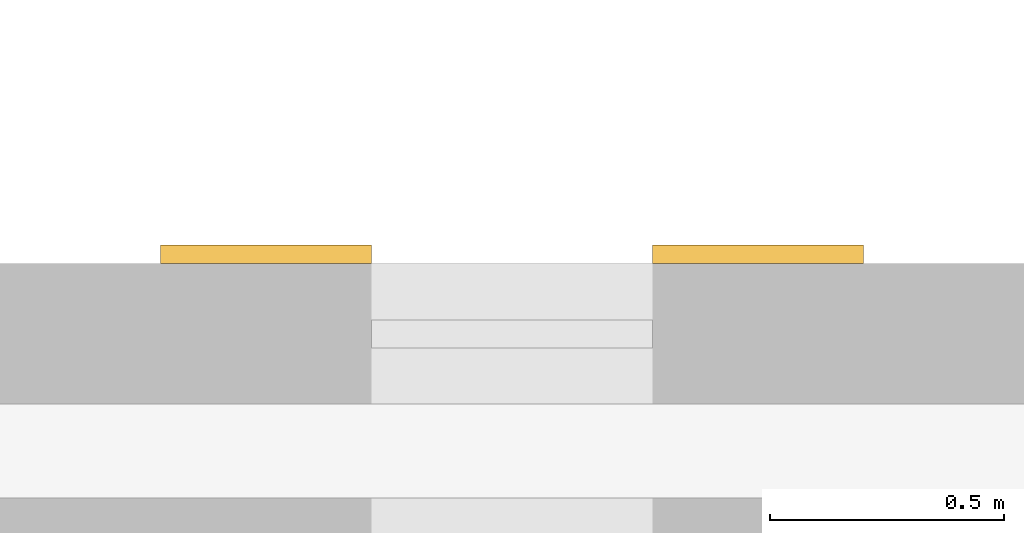
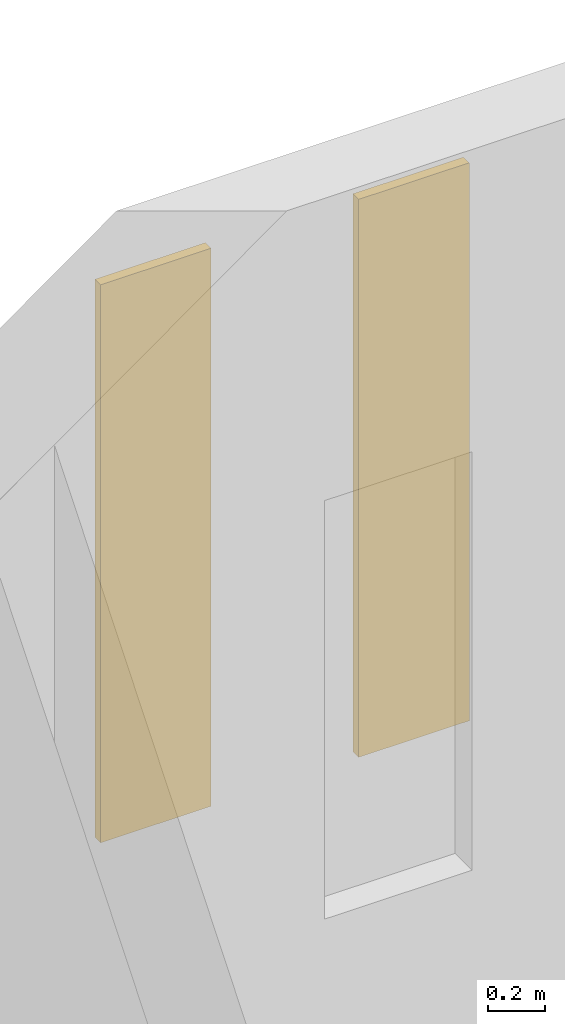
# One storey, part 36 of 54: 2 shading devices.
"""IFC4 building model written with IfcOpenShell, lengths in metres."""

from ifc_helpers import new_model, si_unit, direction, frame, origin, origin_2d, place, context, subcontext, project, spatial, rectangle, extrude, material, layer, layer_set, type_object, element, save


model = new_model("IFC4")

# Units and contexts
model_context = context("Model", 3, precision=1e-05, world=origin(), true_north=direction((0.0, 1.0)))
body_context = subcontext(model_context, "Body", "Model", "MODEL_VIEW")
ifc_project = project(units=[si_unit("LENGTHUNIT", "METRE"), si_unit("AREAUNIT", "SQUARE_METRE"), si_unit("VOLUMEUNIT", "CUBIC_METRE"), si_unit("PLANEANGLEUNIT", "RADIAN"), si_unit("MASSUNIT", "GRAM", prefix="KILO")], contexts=[model_context])

# Site, building, storey
site_placement = place(None, origin())
site = spatial("IfcSite", under=ifc_project, at=site_placement, CompositionType="ELEMENT")
building_placement = place(site_placement, origin())
building = spatial("IfcBuilding", under=site, at=building_placement, Name="Ussher Court Research Institute", CompositionType="ELEMENT")
storey_placement = place(building_placement, frame((0.0, 0.0, 14.39990234375)))
storey = spatial("IfcBuildingStorey", under=building, at=storey_placement, Name="L03", CompositionType="ELEMENT", Elevation=14.39990234375)

# Shading devices
ifc_material = material(Name="Timber louvred shutter", Category="wood")
ifc_layer = layer(ifc_material, 0.0400390625)
ifc_layer_set = layer_set([ifc_layer], Name="Timber louvred shutter")
shading_device_type = type_object("IfcShadingDeviceType", Name="Louvred shutter leaf 450x2400", PredefinedType="USERDEFINED", material=ifc_layer_set)
for number, where, z_axis, x_axis, name in (
    (1, (76.27490234375, 40.419921875, 1.2001953125), (0.0, 0.0, 1.0), (1.0, 0.0, 0.0), "Shutter LV2 L03"),
    (2, (77.324951171875, 40.419921875, 1.2001953125), (0.0, 0.0, 1.0), (1.0, 0.0, 0.0), "Shutter LV2 L03"),
):
    element("IfcShadingDevice", number, at=place(storey_placement, frame(where, z_axis=z_axis, x_axis=x_axis)), inside=storey, type_object=shading_device_type, Name=name, ObjectType="SHUTTER", PredefinedType="USERDEFINED", context=body_context, shape_type="SweptSolid", body=[
        extrude(rectangle(XDim=0.449951171875, YDim=0.0400390625, at=origin_2d()), origin(), (0.0, 0.0, 1.0), 2.39990234375),
    ])

save(model, "model.ifc")
